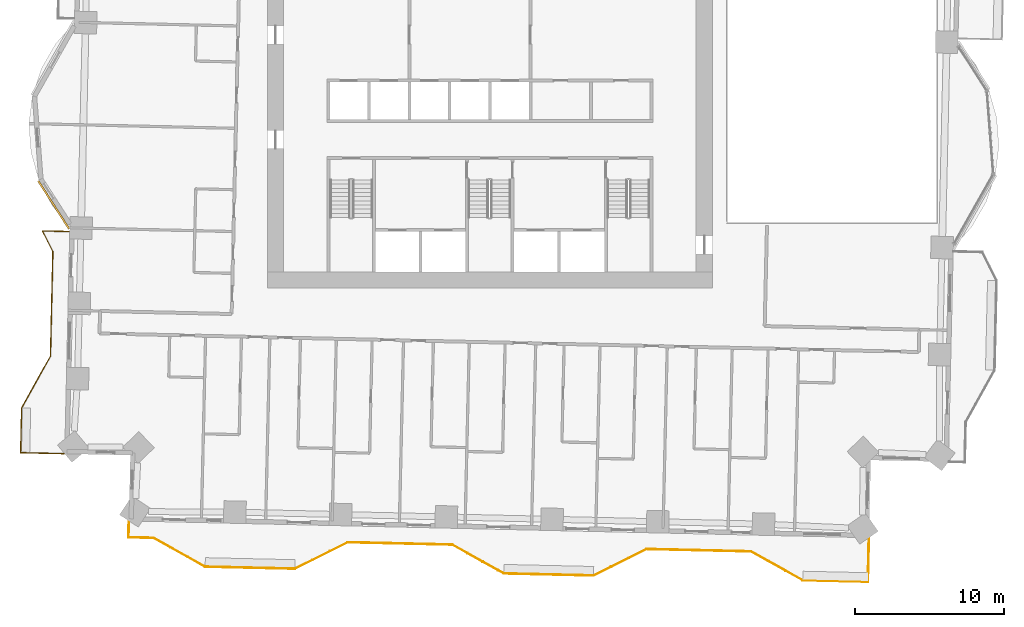
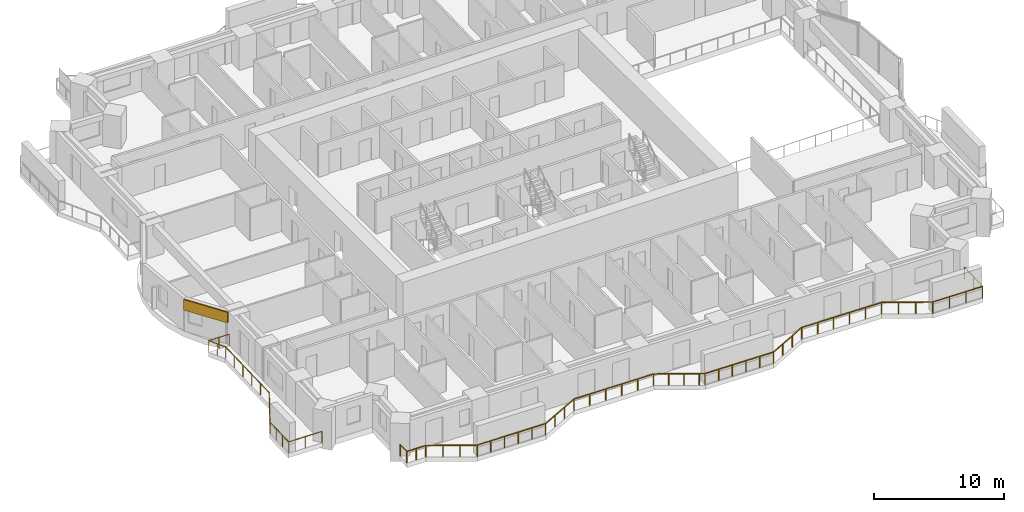
# One storey, part 15 of 19: 2 railings, 1 covering.
"""IFC4 building model written with IfcOpenShell, lengths in metres."""

import ifcopenshell
import ifcopenshell.guid

model = None  # the IFC model being written
_history = None  # IfcOwnerHistory: only IFC2X3 demands one
_inside = {}  # id of a spatial element -> (the spatial element, [elements in it])
_under = {}  # id of a project, library or spatial element -> (it, [spatial elements below it])
_declared = {}  # id of a project -> (the project, [libraries it declares])
_typed = {}  # id of a type object -> (the type object, [elements of that type])
_made_of = {}  # id of a material, layer set ... -> (it, [elements and type objects made of it])


def new_model(schema):
    """Start an empty IFC model of exactly this schema.

    Asked for "IFC4X3", IfcOpenShell would pick the latest addendum, in which some entities
    have other attributes; the version numbers below select the first issue.
    IFC2X3 requires an IfcOwnerHistory on every rooted entity: one is made here for all.
    """
    global model, _history
    if schema == "IFC4X3":
        model = ifcopenshell.file(schema_version=(4, 3, 0, 0))
    else:
        model = ifcopenshell.file(schema=schema)
    _inside.clear()
    _under.clear()
    _declared.clear()
    _typed.clear()
    _made_of.clear()
    _history = None
    if model.schema == "IFC2X3":
        org = make("IfcOrganization", Name="unknown")
        user = make(
            "IfcPersonAndOrganization",
            ThePerson=make("IfcPerson", FamilyName="unknown"),
            TheOrganization=org,
        )
        app = make(
            "IfcApplication",
            ApplicationDeveloper=org,
            Version="unknown",
            ApplicationFullName="unknown",
            ApplicationIdentifier="unknown",
        )
        _history = make(
            "IfcOwnerHistory",
            OwningUser=user,
            OwningApplication=app,
            ChangeAction="ADDED",
            CreationDate=0,
        )
    return model


def make(cls, **values):
    """One entity of the class cls with the attributes given. An attribute that is None is left unset."""
    return model.create_entity(
        cls, **{name: value for name, value in values.items() if value is not None}
    )


def rooted(cls, **values):
    """An entity with a GlobalId (a new one), such as an element, a storey or a relation."""
    return make(cls, GlobalId=ifcopenshell.guid.new(), OwnerHistory=_history, **values)


def si_unit(unit_type, name, prefix=None):
    """IfcSIUnit, for example si_unit("LENGTHUNIT", "METRE", prefix="MILLI")."""
    return make("IfcSIUnit", UnitType=unit_type, Prefix=prefix, Name=name)


def assignment(units):
    """IfcUnitAssignment: the units of a project."""
    return None if units is None else make("IfcUnitAssignment", Units=units)


def point(xyz):
    """IfcCartesianPoint."""
    return None if xyz is None else make("IfcCartesianPoint", Coordinates=xyz)


def direction(xyz):
    """IfcDirection."""
    return None if xyz is None else make("IfcDirection", DirectionRatios=xyz)


def frame(location, z_axis=None, x_axis=None):
    """IfcAxis2Placement3D, a coordinate frame: its origin and axes. An axis left out is left unset."""
    return make(
        "IfcAxis2Placement3D",
        Location=point(location),
        Axis=direction(z_axis),
        RefDirection=direction(x_axis),
    )


def frame_2d(location, x_axis=None):
    """IfcAxis2Placement2D, a coordinate frame in the plane: its origin and x axis."""
    return make(
        "IfcAxis2Placement2D", Location=point(location), RefDirection=direction(x_axis)
    )


def origin():
    """The frame at (0, 0, 0) with its axes left unset."""
    return frame((0.0, 0.0, 0.0))


def origin_2d():
    """The frame at (0, 0) in the plane with its x axis left unset."""
    return frame_2d((0.0, 0.0))


def place(relative_to, where):
    """IfcLocalPlacement: puts the frame where relative to a parent placement (None: the world)."""
    return make(
        "IfcLocalPlacement", PlacementRelTo=relative_to, RelativePlacement=where
    )


def context(
    kind, dimensions, precision=None, world=None, true_north=None, identifier=None
):
    """IfcGeometricRepresentationContext, for example the 3D "Model" context."""
    return make(
        "IfcGeometricRepresentationContext",
        ContextIdentifier=identifier,
        ContextType=kind,
        CoordinateSpaceDimension=dimensions,
        Precision=precision,
        WorldCoordinateSystem=world,
        TrueNorth=true_north,
    )


def subcontext(parent, identifier, kind, view, scale=None):
    """IfcGeometricRepresentationSubContext, for example "Body" below "Model"."""
    return make(
        "IfcGeometricRepresentationSubContext",
        ContextIdentifier=identifier,
        ContextType=kind,
        ParentContext=parent,
        TargetScale=scale,
        TargetView=view,
    )


def project(units=None, contexts=None):
    """IfcProject with its units and contexts."""
    return rooted(
        "IfcProject",
        Name="project",
        RepresentationContexts=contexts,
        UnitsInContext=assignment(units),
    )


def spatial(cls, under=None, at=None, **own):
    """A site, building, storey or space (cls), placed at a placement, below another one or the project."""
    s = rooted(cls, ObjectPlacement=at, **own)
    if under is not None:
        _under.setdefault(under.id(), (under, []))[1].append(s)
    return s


def profile(cls, at=None, kind="AREA", **sizes):
    """A parametric profile (cls). Its sizes go by their IFC names, for example OverallWidth=200.0."""
    return make(cls, ProfileType=kind, Position=at, **sizes)


def rectangle(**sizes):
    """IfcRectangleProfileDef."""
    return profile("IfcRectangleProfileDef", **sizes)


def extrude(swept, where, along, depth):
    """IfcExtrudedAreaSolid: the profile swept, set in the frame where, extruded along a direction by depth."""
    return make(
        "IfcExtrudedAreaSolid",
        SweptArea=swept,
        Position=where,
        ExtrudedDirection=direction(along),
        Depth=depth,
    )


def shape(context_of_items, identifier, shape_type, items):
    """IfcShapeRepresentation: the items that make up one representation, for example the "Body"."""
    return make(
        "IfcShapeRepresentation",
        ContextOfItems=context_of_items,
        RepresentationIdentifier=identifier,
        RepresentationType=shape_type,
        Items=items,
    )


def material(Name=None, Category=None):
    """IfcMaterial."""
    return make("IfcMaterial", Name=Name, Category=Category)


def layer(
    of_material, thickness, ventilated=None, Name=None, Category=None, Priority=None
):
    """IfcMaterialLayer: one layer of a wall or slab, of a material (None: an air gap)."""
    return make(
        "IfcMaterialLayer",
        Material=of_material,
        LayerThickness=thickness,
        IsVentilated=ventilated,
        Name=Name,
        Category=Category,
        Priority=Priority,
    )


def layer_set(layers, Name=None):
    """IfcMaterialLayerSet."""
    return make("IfcMaterialLayerSet", MaterialLayers=layers, LayerSetName=Name)


def made_of(thing, what):
    """Note that an element or type object is made of a material, layer set ...; save() writes the relation."""
    if what is not None:
        _made_of.setdefault(what.id(), (what, []))[1].append(thing)
    return thing


def type_object(cls, material=None, **own):
    """A type object (cls), such as IfcWallType, which elements share."""
    return made_of(rooted(cls, **own), material)


def element(
    cls,
    number,
    at=None,
    inside=None,
    cuts=None,
    type_object=None,
    material=None,
    context=None,
    identifier="Body",
    shape_type=None,
    held_by="IfcProductDefinitionShape",
    body=None,
    shapes=None,
    **own,
):
    """One element of the class cls, such as IfcWall. Its Tag is "e" and its number.

    at: its placement. inside: the storey or other place that contains it. cuts: it is an
    opening in that element (IfcRelVoidsElement). A single representation is given by context,
    identifier, shape_type and body (its items); several are given by shapes. held_by: the class
    of the entity that holds the representations. save() writes the other relations.
    """
    e = rooted(cls, Tag="e%d" % number, ObjectPlacement=at, **own)
    if body is not None:
        shapes = [shape(context, identifier, shape_type, body)]
    if shapes is not None:
        e.Representation = make(held_by, Representations=shapes)
    if inside is not None:
        _inside.setdefault(inside.id(), (inside, []))[1].append(e)
    if cuts is not None:
        rooted(
            "IfcRelVoidsElement", RelatingBuildingElement=cuts, RelatedOpeningElement=e
        )
    if type_object is not None:
        _typed.setdefault(type_object.id(), (type_object, []))[1].append(e)
    return made_of(e, material)


def aggregate(whole, parts):
    """IfcRelAggregates: a whole, such as a stair, and the parts it consists of."""
    return rooted("IfcRelAggregates", RelatingObject=whole, RelatedObjects=parts)


def save(model, path):
    """Write the relations noted so far, then the file.

    IfcRelAggregates (storeys below a building ...), IfcRelContainedInSpatialStructure (elements
    in a storey), IfcRelDefinesByType, IfcRelAssociatesMaterial and IfcRelDeclares: one each for
    every whole, place, type object, material and project.
    """
    for whole, parts in _under.values():
        aggregate(whole, parts)
    for where, things in _inside.values():
        rooted(
            "IfcRelContainedInSpatialStructure",
            RelatedElements=things,
            RelatingStructure=where,
        )
    for kind, things in _typed.values():
        rooted("IfcRelDefinesByType", RelatedObjects=things, RelatingType=kind)
    for what, things in _made_of.values():
        rooted("IfcRelAssociatesMaterial", RelatedObjects=things, RelatingMaterial=what)
    for by, libraries in _declared.values():
        rooted("IfcRelDeclares", RelatingContext=by, RelatedDefinitions=libraries)
    model.write(path)


model = new_model("IFC4")

# Units and contexts
model_context = context("Model", 3, precision=1e-05, world=origin(), true_north=direction((0.0, 1.0)))
body_context = subcontext(model_context, "Body", "Model", "MODEL_VIEW")
ifc_project = project(units=[si_unit("LENGTHUNIT", "METRE"), si_unit("AREAUNIT", "SQUARE_METRE"), si_unit("VOLUMEUNIT", "CUBIC_METRE"), si_unit("PLANEANGLEUNIT", "RADIAN"), si_unit("MASSUNIT", "GRAM", prefix="KILO")], contexts=[model_context])

# Site, building, storey
site_placement = place(None, origin())
site = spatial("IfcSite", under=ifc_project, at=site_placement, CompositionType="ELEMENT")
building_placement = place(site_placement, origin())
building = spatial("IfcBuilding", under=site, at=building_placement, Name="Mangrove Gate Tower", CompositionType="ELEMENT")
storey_placement = place(building_placement, frame((0.0, 0.0, 63.89990234375)))
storey = spatial("IfcBuildingStorey", under=building, at=storey_placement, Name="L15", CompositionType="ELEMENT", Elevation=63.89990234375)

# Railings
ifc_material_1 = material(Name="Stainless steel grade 316 with laminated glass infill", Category="steel")
railing_type = type_object("IfcRailingType", Name="Balcony guard 1100", PredefinedType="GUARDRAIL", material=ifc_material_1)
railing_1_placement = place(storey_placement, frame((-28.162109375, -8.10205078125, 0.0)))
element("IfcRailing", 1, at=railing_1_placement, inside=storey, type_object=railing_type, Name="GUARD L15 W2", PredefinedType="GUARDRAIL", context=body_context, shape_type="SweptSolid", body=[
    extrude(rectangle(XDim=0.048095703125, YDim=0.048095703125, at=origin_2d()), frame((0.0, 0.0, 1.076171875), z_axis=(-0.999736374059, 0.02296045261, 0.0), x_axis=(-0.02296045261, -0.999736374059, 0.0)), (0.0, 0.0, 1.0), 1.786376953125),
    extrude(rectangle(XDim=0.048095703125, YDim=0.048095703125, at=origin_2d()), frame((-1.785888671875, 0.041015625, 1.076171875), z_axis=(0.447025166118, -0.894521380883, 0.0), x_axis=(0.894521380883, 0.447025166118, 0.0)), (0.0, 0.0, 1.0), 1.554931640625),
    extrude(rectangle(XDim=0.048095703125, YDim=0.048095703125, at=origin_2d()), frame((-1.0908203125, -1.349853515625, 1.076171875), z_axis=(-0.022740419861, -0.999741403216, 0.0), x_axis=(0.999741403216, -0.022740419861, 0.0)), (0.0, 0.0, 1.0), 6.999755859375),
    extrude(rectangle(XDim=0.048095703125, YDim=0.048095703125, at=origin_2d()), frame((-1.25, -8.347900390625, 1.076171875), z_axis=(-0.48726008209, -0.87325689943, 0.0), x_axis=(0.87325689943, -0.48726008209, 0.0)), (0.0, 0.0, 1.0), 3.958740234375),
    extrude(rectangle(XDim=0.048095703125, YDim=0.048095703125, at=origin_2d()), frame((-3.178955078125, -11.804931640625, 1.076171875), z_axis=(-0.022617910375, -0.999744182344, 0.0), x_axis=(0.999744182344, -0.022617910375, 0.0)), (0.0, 0.0, 1.0), 3.000732421875),
    extrude(rectangle(XDim=0.048095703125, YDim=0.048095703125, at=origin_2d()), frame((-3.246826171875, -14.804931640625, 1.076171875), z_axis=(0.999743349437, -0.022654696127, 0.0), x_axis=(0.022654696127, 0.999743349437, 0.0)), (0.0, 0.0, 1.0), 2.90966796875),
    extrude(rectangle(XDim=0.0419921875, YDim=0.0419921875, at=origin_2d()), origin(), (0.0, 0.0, 1.0), 1.052001953125),
    extrude(rectangle(XDim=0.0419921875, YDim=0.0419921875, at=origin_2d()), frame((-0.89306640625, 0.0205078125, 0.0)), (0.0, 0.0, 1.0), 1.052001953125),
    extrude(rectangle(XDim=0.0419921875, YDim=0.0419921875, at=origin_2d()), frame((-1.785888671875, 0.041015625, 0.0)), (0.0, 0.0, 1.0), 1.052001953125),
    extrude(rectangle(XDim=0.0419921875, YDim=0.0419921875, at=origin_2d()), frame((-1.4384765625, -0.654296875, 0.0)), (0.0, 0.0, 1.0), 1.052001953125),
    extrude(rectangle(XDim=0.0419921875, YDim=0.0419921875, at=origin_2d()), frame((-1.0908203125, -1.349853515625, 0.0)), (0.0, 0.0, 1.0), 1.052001953125),
    extrude(rectangle(XDim=0.0419921875, YDim=0.0419921875, at=origin_2d()), frame((-1.12255859375, -2.74951171875, 0.0)), (0.0, 0.0, 1.0), 1.052001953125),
    extrude(rectangle(XDim=0.0419921875, YDim=0.0419921875, at=origin_2d()), frame((-1.154541015625, -4.149169921875, 0.0)), (0.0, 0.0, 1.0), 1.052001953125),
    extrude(rectangle(XDim=0.0419921875, YDim=0.0419921875, at=origin_2d()), frame((-1.186279296875, -5.548583984375, 0.0)), (0.0, 0.0, 1.0), 1.052001953125),
    extrude(rectangle(XDim=0.0419921875, YDim=0.0419921875, at=origin_2d()), frame((-1.21826171875, -6.9482421875, 0.0)), (0.0, 0.0, 1.0), 1.052001953125),
    extrude(rectangle(XDim=0.0419921875, YDim=0.0419921875, at=origin_2d()), frame((-1.25, -8.347900390625, 0.0)), (0.0, 0.0, 1.0), 1.052001953125),
    extrude(rectangle(XDim=0.0419921875, YDim=0.0419921875, at=origin_2d()), frame((-1.89306640625, -9.500244140625, 0.0)), (0.0, 0.0, 1.0), 1.052001953125),
    extrude(rectangle(XDim=0.0419921875, YDim=0.0419921875, at=origin_2d()), frame((-2.535888671875, -10.652587890625, 0.0)), (0.0, 0.0, 1.0), 1.052001953125),
    extrude(rectangle(XDim=0.0419921875, YDim=0.0419921875, at=origin_2d()), frame((-3.178955078125, -11.804931640625, 0.0)), (0.0, 0.0, 1.0), 1.052001953125),
    extrude(rectangle(XDim=0.0419921875, YDim=0.0419921875, at=origin_2d()), frame((-3.20166015625, -12.804931640625, 0.0)), (0.0, 0.0, 1.0), 1.052001953125),
    extrude(rectangle(XDim=0.0419921875, YDim=0.0419921875, at=origin_2d()), frame((-3.22412109375, -13.804931640625, 0.0)), (0.0, 0.0, 1.0), 1.052001953125),
    extrude(rectangle(XDim=0.0419921875, YDim=0.0419921875, at=origin_2d()), frame((-3.246826171875, -14.804931640625, 0.0)), (0.0, 0.0, 1.0), 1.052001953125),
    extrude(rectangle(XDim=0.0419921875, YDim=0.0419921875, at=origin_2d()), frame((-1.79248046875, -14.837890625, 0.0)), (0.0, 0.0, 1.0), 1.052001953125),
    extrude(rectangle(XDim=0.0419921875, YDim=0.0419921875, at=origin_2d()), frame((-0.337890625, -14.870849609375, 0.0)), (0.0, 0.0, 1.0), 1.052001953125),
])
railing_2_placement = place(storey_placement, frame((-24.160888671875, -27.511962890625, 0.0)))
element("IfcRailing", 2, at=railing_2_placement, inside=storey, type_object=railing_type, Name="GUARD L15 S1", PredefinedType="GUARDRAIL", context=body_context, shape_type="SweptSolid", body=[
    extrude(rectangle(XDim=0.048095703125, YDim=0.048095703125, at=origin_2d()), frame((0.0, 0.0, 1.076171875), z_axis=(-0.022794628443, -0.999740168701, 0.0), x_axis=(0.999740168701, -0.022794628443, 0.0)), (0.0, 0.0, 1.0), 1.060302734375),
    extrude(rectangle(XDim=0.048095703125, YDim=0.048095703125, at=origin_2d()), frame((-0.024169921875, -1.06005859375, 1.076171875), z_axis=(0.99973910714, -0.02284113953, 0.0), x_axis=(0.02284113953, 0.99973910714, 0.0)), (0.0, 0.0, 1.0), 1.66748046875),
    extrude(rectangle(XDim=0.048095703125, YDim=0.048095703125, at=origin_2d()), frame((1.642822265625, -1.09814453125, 1.076171875), z_axis=(0.87325689943, -0.48726008209, 0.0), x_axis=(0.48726008209, 0.87325689943, 0.0)), (0.0, 0.0, 1.0), 3.958740234375),
    extrude(rectangle(XDim=0.048095703125, YDim=0.048095703125, at=origin_2d()), frame((5.099853515625, -3.027099609375, 1.076171875), z_axis=(0.999743178102, -0.022662255828, 0.0), x_axis=(0.022662255828, 0.999743178102, 0.0)), (0.0, 0.0, 1.0), 6.00048828125),
    extrude(rectangle(XDim=0.048095703125, YDim=0.048095703125, at=origin_2d()), frame((11.098876953125, -3.1630859375, 1.076171875), z_axis=(0.894476522376, 0.447114919141, 0.0), x_axis=(-0.447114919141, 0.894476522376, 0.0)), (0.0, 0.0, 1.0), 3.958740234375),
    extrude(rectangle(XDim=0.048095703125, YDim=0.048095703125, at=origin_2d()), frame((14.639892578125, -1.39306640625, 1.076171875), z_axis=(0.999742195543, -0.022705559911, 0.0), x_axis=(0.022705559911, 0.999742195543, 0.0)), (0.0, 0.0, 1.0), 6.999755859375),
    extrude(rectangle(XDim=0.048095703125, YDim=0.048095703125, at=origin_2d()), frame((21.637939453125, -1.552001953125, 1.076171875), z_axis=(0.87332171879, -0.487143896082, 0.0), x_axis=(0.487143896082, 0.87332171879, 0.0)), (0.0, 0.0, 1.0), 3.506103515625),
    extrude(rectangle(XDim=0.048095703125, YDim=0.048095703125, at=origin_2d()), frame((24.699951171875, -3.260009765625, 1.076171875), z_axis=(0.873672905931, -0.486513775182, 0.0), x_axis=(0.486513775182, 0.873672905931, 0.0)), (0.0, 0.0, 1.0), 0.4521484375),
    extrude(rectangle(XDim=0.048095703125, YDim=0.048095703125, at=origin_2d()), frame((25.094970703125, -3.47998046875, 1.076171875), z_axis=(0.999739477659, -0.022824916448, 0.0), x_axis=(0.022824916448, 0.999739477659, 0.0)), (0.0, 0.0, 1.0), 6.00048828125),
    extrude(rectangle(XDim=0.048095703125, YDim=0.048095703125, at=origin_2d()), frame((31.093994140625, -3.616943359375, 1.076171875), z_axis=(0.894377854182, 0.447312255532, 0.0), x_axis=(-0.447312255532, 0.894377854182, 0.0)), (0.0, 0.0, 1.0), 3.959228515625),
    extrude(rectangle(XDim=0.048095703125, YDim=0.048095703125, at=origin_2d()), frame((34.635009765625, -1.845947265625, 1.076171875), z_axis=(0.999741385179, -0.022741212823, 0.0), x_axis=(0.022741212823, 0.999741385179, 0.0)), (0.0, 0.0, 1.0), 6.99951171875),
    extrude(rectangle(XDim=0.048095703125, YDim=0.048095703125, at=origin_2d()), frame((41.6328125, -2.005126953125, 1.076171875), z_axis=(0.87325689943, -0.48726008209, 0.0), x_axis=(0.48726008209, 0.87325689943, 0.0)), (0.0, 0.0, 1.0), 3.958740234375),
    extrude(rectangle(XDim=0.048095703125, YDim=0.048095703125, at=origin_2d()), frame((45.08984375, -3.93408203125, 1.076171875), z_axis=(0.999743765213, -0.022636340633, 0.0), x_axis=(0.022636340633, 0.999743765213, 0.0)), (0.0, 0.0, 1.0), 4.3681640625),
    extrude(rectangle(XDim=0.048095703125, YDim=0.048095703125, at=origin_2d()), frame((49.456787109375, -4.032958984375, 1.076171875), z_axis=(0.022738559105, 0.99974144554, 0.0), x_axis=(-0.99974144554, 0.022738559105, 0.0)), (0.0, 0.0, 1.0), 2.90966796875),
    extrude(rectangle(XDim=0.0419921875, YDim=0.0419921875, at=origin_2d()), origin(), (0.0, 0.0, 1.0), 1.052001953125),
    extrude(rectangle(XDim=0.0419921875, YDim=0.0419921875, at=origin_2d()), frame((-0.024169921875, -1.06005859375, 0.0)), (0.0, 0.0, 1.0), 1.052001953125),
    extrude(rectangle(XDim=0.0419921875, YDim=0.0419921875, at=origin_2d()), frame((0.809326171875, -1.0791015625, 0.0)), (0.0, 0.0, 1.0), 1.052001953125),
    extrude(rectangle(XDim=0.0419921875, YDim=0.0419921875, at=origin_2d()), frame((1.642822265625, -1.09814453125, 0.0)), (0.0, 0.0, 1.0), 1.052001953125),
    extrude(rectangle(XDim=0.0419921875, YDim=0.0419921875, at=origin_2d()), frame((2.795166015625, -1.7412109375, 0.0)), (0.0, 0.0, 1.0), 1.052001953125),
    extrude(rectangle(XDim=0.0419921875, YDim=0.0419921875, at=origin_2d()), frame((3.947509765625, -2.384033203125, 0.0)), (0.0, 0.0, 1.0), 1.052001953125),
    extrude(rectangle(XDim=0.0419921875, YDim=0.0419921875, at=origin_2d()), frame((5.099853515625, -3.027099609375, 0.0)), (0.0, 0.0, 1.0), 1.052001953125),
    extrude(rectangle(XDim=0.0419921875, YDim=0.0419921875, at=origin_2d()), frame((6.299560546875, -3.05419921875, 0.0)), (0.0, 0.0, 1.0), 1.052001953125),
    extrude(rectangle(XDim=0.0419921875, YDim=0.0419921875, at=origin_2d()), frame((7.49951171875, -3.08154296875, 0.0)), (0.0, 0.0, 1.0), 1.052001953125),
    extrude(rectangle(XDim=0.0419921875, YDim=0.0419921875, at=origin_2d()), frame((8.69921875, -3.108642578125, 0.0)), (0.0, 0.0, 1.0), 1.052001953125),
    extrude(rectangle(XDim=0.0419921875, YDim=0.0419921875, at=origin_2d()), frame((9.899169921875, -3.135986328125, 0.0)), (0.0, 0.0, 1.0), 1.052001953125),
    extrude(rectangle(XDim=0.0419921875, YDim=0.0419921875, at=origin_2d()), frame((11.098876953125, -3.1630859375, 0.0)), (0.0, 0.0, 1.0), 1.052001953125),
    extrude(rectangle(XDim=0.0419921875, YDim=0.0419921875, at=origin_2d()), frame((12.279296875, -2.572998046875, 0.0)), (0.0, 0.0, 1.0), 1.052001953125),
    extrude(rectangle(XDim=0.0419921875, YDim=0.0419921875, at=origin_2d()), frame((13.45947265625, -1.983154296875, 0.0)), (0.0, 0.0, 1.0), 1.052001953125),
    extrude(rectangle(XDim=0.0419921875, YDim=0.0419921875, at=origin_2d()), frame((14.639892578125, -1.39306640625, 0.0)), (0.0, 0.0, 1.0), 1.052001953125),
    extrude(rectangle(XDim=0.0419921875, YDim=0.0419921875, at=origin_2d()), frame((16.03955078125, -1.4248046875, 0.0)), (0.0, 0.0, 1.0), 1.052001953125),
    extrude(rectangle(XDim=0.0419921875, YDim=0.0419921875, at=origin_2d()), frame((17.439208984375, -1.45654296875, 0.0)), (0.0, 0.0, 1.0), 1.052001953125),
    extrude(rectangle(XDim=0.0419921875, YDim=0.0419921875, at=origin_2d()), frame((18.838623046875, -1.488525390625, 0.0)), (0.0, 0.0, 1.0), 1.052001953125),
    extrude(rectangle(XDim=0.0419921875, YDim=0.0419921875, at=origin_2d()), frame((20.23828125, -1.520263671875, 0.0)), (0.0, 0.0, 1.0), 1.052001953125),
    extrude(rectangle(XDim=0.0419921875, YDim=0.0419921875, at=origin_2d()), frame((21.637939453125, -1.552001953125, 0.0)), (0.0, 0.0, 1.0), 1.052001953125),
    extrude(rectangle(XDim=0.0419921875, YDim=0.0419921875, at=origin_2d()), frame((22.65869140625, -2.121337890625, 0.0)), (0.0, 0.0, 1.0), 1.052001953125),
    extrude(rectangle(XDim=0.0419921875, YDim=0.0419921875, at=origin_2d()), frame((23.67919921875, -2.690673828125, 0.0)), (0.0, 0.0, 1.0), 1.052001953125),
    extrude(rectangle(XDim=0.0419921875, YDim=0.0419921875, at=origin_2d()), frame((24.699951171875, -3.260009765625, 0.0)), (0.0, 0.0, 1.0), 1.052001953125),
    extrude(rectangle(XDim=0.0419921875, YDim=0.0419921875, at=origin_2d()), frame((25.094970703125, -3.47998046875, 0.0)), (0.0, 0.0, 1.0), 1.052001953125),
    extrude(rectangle(XDim=0.0419921875, YDim=0.0419921875, at=origin_2d()), frame((26.294677734375, -3.50732421875, 0.0)), (0.0, 0.0, 1.0), 1.052001953125),
    extrude(rectangle(XDim=0.0419921875, YDim=0.0419921875, at=origin_2d()), frame((27.49462890625, -3.53466796875, 0.0)), (0.0, 0.0, 1.0), 1.052001953125),
    extrude(rectangle(XDim=0.0419921875, YDim=0.0419921875, at=origin_2d()), frame((28.6943359375, -3.562255859375, 0.0)), (0.0, 0.0, 1.0), 1.052001953125),
    extrude(rectangle(XDim=0.0419921875, YDim=0.0419921875, at=origin_2d()), frame((29.894287109375, -3.589599609375, 0.0)), (0.0, 0.0, 1.0), 1.052001953125),
    extrude(rectangle(XDim=0.0419921875, YDim=0.0419921875, at=origin_2d()), frame((31.093994140625, -3.616943359375, 0.0)), (0.0, 0.0, 1.0), 1.052001953125),
    extrude(rectangle(XDim=0.0419921875, YDim=0.0419921875, at=origin_2d()), frame((32.2744140625, -3.026611328125, 0.0)), (0.0, 0.0, 1.0), 1.052001953125),
    extrude(rectangle(XDim=0.0419921875, YDim=0.0419921875, at=origin_2d()), frame((33.45458984375, -2.436279296875, 0.0)), (0.0, 0.0, 1.0), 1.052001953125),
    extrude(rectangle(XDim=0.0419921875, YDim=0.0419921875, at=origin_2d()), frame((34.635009765625, -1.845947265625, 0.0)), (0.0, 0.0, 1.0), 1.052001953125),
    extrude(rectangle(XDim=0.0419921875, YDim=0.0419921875, at=origin_2d()), frame((36.03466796875, -1.877685546875, 0.0)), (0.0, 0.0, 1.0), 1.052001953125),
    extrude(rectangle(XDim=0.0419921875, YDim=0.0419921875, at=origin_2d()), frame((37.43408203125, -1.90966796875, 0.0)), (0.0, 0.0, 1.0), 1.052001953125),
    extrude(rectangle(XDim=0.0419921875, YDim=0.0419921875, at=origin_2d()), frame((38.833740234375, -1.94140625, 0.0)), (0.0, 0.0, 1.0), 1.052001953125),
    extrude(rectangle(XDim=0.0419921875, YDim=0.0419921875, at=origin_2d()), frame((40.233154296875, -1.973388671875, 0.0)), (0.0, 0.0, 1.0), 1.052001953125),
    extrude(rectangle(XDim=0.0419921875, YDim=0.0419921875, at=origin_2d()), frame((41.6328125, -2.005126953125, 0.0)), (0.0, 0.0, 1.0), 1.052001953125),
    extrude(rectangle(XDim=0.0419921875, YDim=0.0419921875, at=origin_2d()), frame((42.78515625, -2.648193359375, 0.0)), (0.0, 0.0, 1.0), 1.052001953125),
    extrude(rectangle(XDim=0.0419921875, YDim=0.0419921875, at=origin_2d()), frame((43.9375, -3.291015625, 0.0)), (0.0, 0.0, 1.0), 1.052001953125),
    extrude(rectangle(XDim=0.0419921875, YDim=0.0419921875, at=origin_2d()), frame((45.08984375, -3.93408203125, 0.0)), (0.0, 0.0, 1.0), 1.052001953125),
    extrude(rectangle(XDim=0.0419921875, YDim=0.0419921875, at=origin_2d()), frame((46.54541015625, -3.967041015625, 0.0)), (0.0, 0.0, 1.0), 1.052001953125),
    extrude(rectangle(XDim=0.0419921875, YDim=0.0419921875, at=origin_2d()), frame((48.001220703125, -4.0, 0.0)), (0.0, 0.0, 1.0), 1.052001953125),
    extrude(rectangle(XDim=0.0419921875, YDim=0.0419921875, at=origin_2d()), frame((49.456787109375, -4.032958984375, 0.0)), (0.0, 0.0, 1.0), 1.052001953125),
    extrude(rectangle(XDim=0.0419921875, YDim=0.0419921875, at=origin_2d()), frame((49.48974609375, -2.57861328125, 0.0)), (0.0, 0.0, 1.0), 1.052001953125),
    extrude(rectangle(XDim=0.0419921875, YDim=0.0419921875, at=origin_2d()), frame((49.52294921875, -1.1240234375, 0.0)), (0.0, 0.0, 1.0), 1.052001953125),
])

# Covering
ifc_material_2 = material(Name="Limestone", Category="masonry")
ifc_layer_1 = layer(ifc_material_2, 0.0400390625, Name="Limestone cladding")
ifc_material_3 = material(Name="Stainless steel anchors and cavity", Category="steel")
ifc_layer_2 = layer(ifc_material_3, 0.080078125, Name="Fixing cavity")
ifc_layer_set = layer_set([ifc_layer_1, ifc_layer_2], Name="Joint fascia cladding 120")
covering_type = type_object("IfcCoveringType", Name="Joint fascia cladding 120", PredefinedType="CLADDING", material=ifc_layer_set)
covering_placement = place(storey_placement, frame((-30.22607421875, -4.718994140625, 2.050048828125), z_axis=(0.0, 0.0, 1.0), x_axis=(0.540486138148, -0.841352919095, 0.0)))
element("IfcCovering", 3, at=covering_placement, inside=storey, type_object=covering_type, Name="STONE FASCIA L15 W9.L2", PredefinedType="CLADDING", context=body_context, shape_type="SweptSolid", body=[
    extrude(rectangle(XDim=3.818603515625, YDim=0.1201171875, at=frame_2d((1.9091796875, 0.0))), origin(), (0.0, 0.0, 1.0), 1.0),
])

save(model, "model.ifc")
